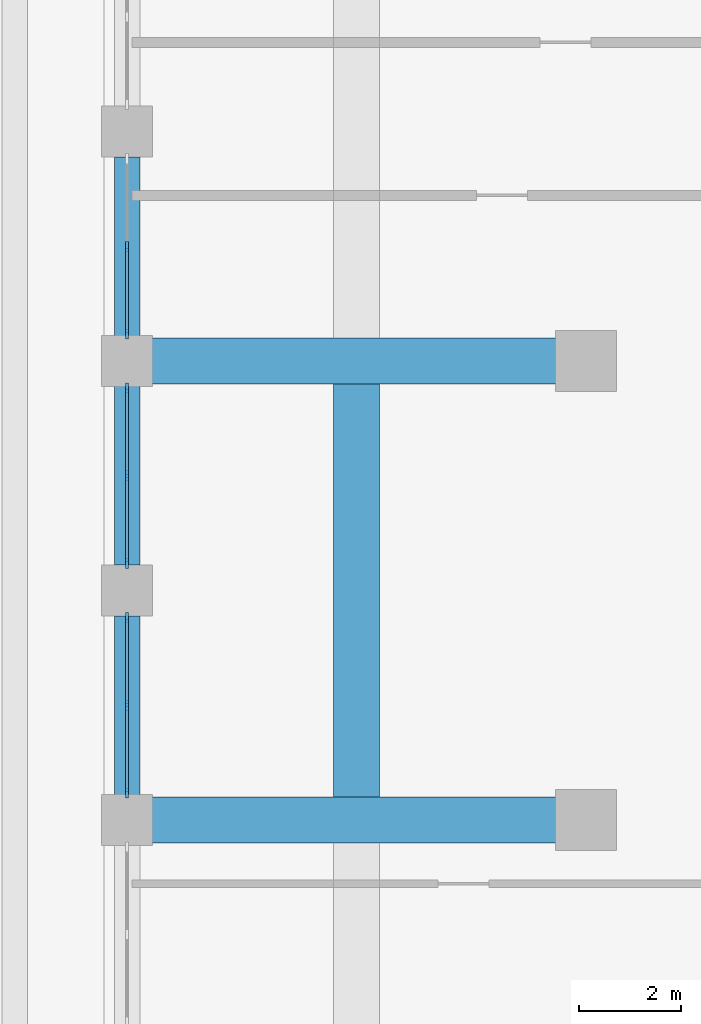
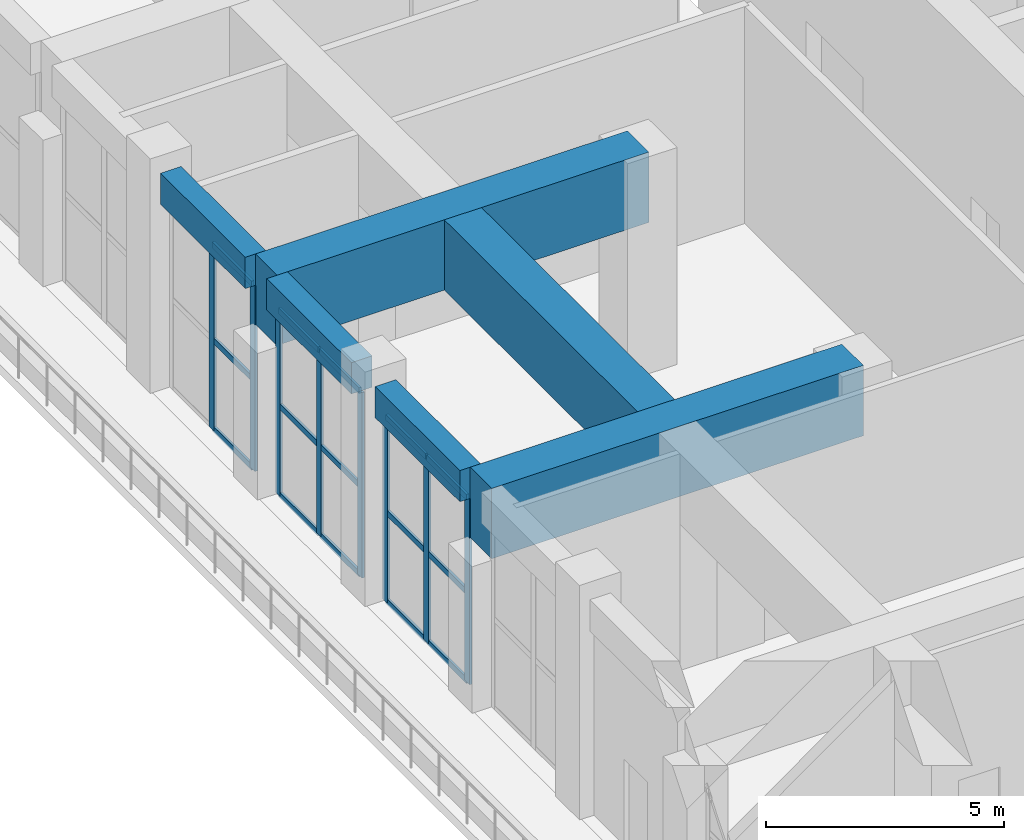
# One storey, part 3 of 25: 23 members, 6 beams, 3 elements without a shape of their own.
"""IFC4 building model written with IfcOpenShell, lengths in metres."""

from ifc_helpers import new_model, si_unit, direction, frame, origin, origin_2d, place, context, subcontext, project, spatial, rectangle, extrude, material, material_profile, profile_set, type_object, element, aggregate, save


model = new_model("IFC4")

# Units and contexts
model_context = context("Model", 3, precision=1e-05, world=origin(), true_north=direction((0.0, 1.0)))
body_context = subcontext(model_context, "Body", "Model", "MODEL_VIEW")
ifc_project = project(units=[si_unit("LENGTHUNIT", "METRE"), si_unit("AREAUNIT", "SQUARE_METRE"), si_unit("VOLUMEUNIT", "CUBIC_METRE"), si_unit("PLANEANGLEUNIT", "RADIAN"), si_unit("MASSUNIT", "GRAM", prefix="KILO")], contexts=[model_context])

# Site, building, storey
site_placement = place(None, origin())
site = spatial("IfcSite", under=ifc_project, at=site_placement, CompositionType="ELEMENT")
building_placement = place(site_placement, origin())
building = spatial("IfcBuilding", under=site, at=building_placement, Name="Corbel Stack Research Tower", CompositionType="ELEMENT")
storey_placement = place(building_placement, frame((0.0, 0.0, 185.5)))
storey = spatial("IfcBuildingStorey", under=building, at=storey_placement, Name="L42", CompositionType="ELEMENT", Elevation=185.5)

# Curtain wall, members
ifc_material_1 = material(Name="Aluminium frame, clear glass", Category="aluminium")
curtain_wall_type = type_object("IfcCurtainWallType", Name="Upper amenity floor curtain wall CW3", PredefinedType="NOTDEFINED", material=ifc_material_1)
curtain_wall_1_placement = place(storey_placement, origin())
curtain_wall_1 = element("IfcCurtainWall", 1, at=curtain_wall_1_placement, inside=storey, type_object=curtain_wall_type, Name="Curtain wall CW3 L42 W05", PredefinedType="NOTDEFINED")
ifc_material_2 = material(Name="Aluminium mullion", Category="aluminium")
ifc_material_profile_1 = material_profile(ifc_material_2, rectangle(XDim=0.06005859375, YDim=0.199951171875, at=origin_2d()), Name="Mullion 60 x 200")
ifc_profile_set_1 = profile_set([ifc_material_profile_1], Name="Aluminium mullion")
member_type_1 = type_object("IfcMemberType", Name="Curtain wall mullion 60 x 200", PredefinedType="MULLION", material=ifc_profile_set_1)
member_1_placement = place(storey_placement, frame((-27.0, 2.25, 0.0), z_axis=(0.0, 0.0, 1.0), x_axis=(1.0, 0.0, 0.0)))
member_1 = element("IfcMember", 2, at=member_1_placement, type_object=member_type_1, Name="CW3 mullion 2", PredefinedType="MULLION", context=body_context, shape_type="SweptSolid", body=[
    extrude(rectangle(XDim=0.06005859375, YDim=0.199951171875, at=origin_2d()), origin(), (0.0, 0.0, 1.0), 4.75),
])
member_2_placement = place(storey_placement, frame((-27.0, 0.530029296875, 0.0), z_axis=(0.0, 0.0, 1.0), x_axis=(1.0, 0.0, 0.0)))
member_2 = element("IfcMember", 3, at=member_2_placement, type_object=member_type_1, Name="CW3 mullion 3", PredefinedType="MULLION", context=body_context, shape_type="SweptSolid", body=[
    extrude(rectangle(XDim=0.06005859375, YDim=0.199951171875, at=origin_2d()), origin(), (0.0, 0.0, 1.0), 4.75),
])

curtain_wall_2_placement = place(storey_placement, origin())
curtain_wall_2 = element("IfcCurtainWall", 4, at=curtain_wall_2_placement, inside=storey, type_object=curtain_wall_type, Name="Curtain wall CW3 L42 W06", PredefinedType="NOTDEFINED")
member_3_placement = place(storey_placement, frame((-27.0, -0.530029296875, 0.0), z_axis=(0.0, 0.0, 1.0), x_axis=(1.0, 0.0, 0.0)))
member_3 = element("IfcMember", 5, at=member_3_placement, type_object=member_type_1, Name="CW3 mullion 1", PredefinedType="MULLION", context=body_context, shape_type="SweptSolid", body=[
    extrude(rectangle(XDim=0.06005859375, YDim=0.199951171875, at=origin_2d()), origin(), (0.0, 0.0, 1.0), 4.75),
])
member_4_placement = place(storey_placement, frame((-27.0, -2.25, 0.0), z_axis=(0.0, 0.0, 1.0), x_axis=(1.0, 0.0, 0.0)))
member_4 = element("IfcMember", 6, at=member_4_placement, type_object=member_type_1, Name="CW3 mullion 2", PredefinedType="MULLION", context=body_context, shape_type="SweptSolid", body=[
    extrude(rectangle(XDim=0.06005859375, YDim=0.199951171875, at=origin_2d()), origin(), (0.0, 0.0, 1.0), 4.75),
])
member_5_placement = place(storey_placement, frame((-27.0, -3.969970703125, 0.0), z_axis=(0.0, 0.0, 1.0), x_axis=(1.0, 0.0, 0.0)))
member_5 = element("IfcMember", 7, at=member_5_placement, type_object=member_type_1, Name="CW3 mullion 3", PredefinedType="MULLION", context=body_context, shape_type="SweptSolid", body=[
    extrude(rectangle(XDim=0.06005859375, YDim=0.199951171875, at=origin_2d()), origin(), (0.0, 0.0, 1.0), 4.75),
])

curtain_wall_3_placement = place(storey_placement, origin())
curtain_wall_3 = element("IfcCurtainWall", 8, at=curtain_wall_3_placement, inside=storey, type_object=curtain_wall_type, Name="Curtain wall CW3 L42 W07", PredefinedType="NOTDEFINED")
member_6_placement = place(storey_placement, frame((-27.0, -5.030029296875, 0.0), z_axis=(0.0, 0.0, 1.0), x_axis=(1.0, 0.0, 0.0)))
member_6 = element("IfcMember", 9, at=member_6_placement, type_object=member_type_1, Name="CW3 mullion 1", PredefinedType="MULLION", context=body_context, shape_type="SweptSolid", body=[
    extrude(rectangle(XDim=0.06005859375, YDim=0.199951171875, at=origin_2d()), origin(), (0.0, 0.0, 1.0), 4.75),
])
member_7_placement = place(storey_placement, frame((-27.0, -6.75, 0.0), z_axis=(0.0, 0.0, 1.0), x_axis=(1.0, 0.0, 0.0)))
member_7 = element("IfcMember", 10, at=member_7_placement, type_object=member_type_1, Name="CW3 mullion 2", PredefinedType="MULLION", context=body_context, shape_type="SweptSolid", body=[
    extrude(rectangle(XDim=0.06005859375, YDim=0.199951171875, at=origin_2d()), origin(), (0.0, 0.0, 1.0), 4.75),
])
member_8_placement = place(storey_placement, frame((-27.0, -8.469970703125, 0.0), z_axis=(0.0, 0.0, 1.0), x_axis=(1.0, 0.0, 0.0)))
member_8 = element("IfcMember", 11, at=member_8_placement, type_object=member_type_1, Name="CW3 mullion 3", PredefinedType="MULLION", context=body_context, shape_type="SweptSolid", body=[
    extrude(rectangle(XDim=0.06005859375, YDim=0.199951171875, at=origin_2d()), origin(), (0.0, 0.0, 1.0), 4.75),
])

# Member
ifc_material_3 = material(Name="Aluminium transom", Category="aluminium")
ifc_material_profile_2 = material_profile(ifc_material_3, rectangle(XDim=0.06005859375, YDim=0.14990234375, at=origin_2d()), Name="Transom 60 x 150")
ifc_profile_set_2 = profile_set([ifc_material_profile_2], Name="Aluminium transom")
member_type_2 = type_object("IfcMemberType", Name="Curtain wall transom 60 x 150", PredefinedType="USERDEFINED", material=ifc_profile_set_2)
member_9_placement = place(storey_placement, frame((-27.0, 2.219970703125, 0.030029296875), z_axis=(0.0, -1.0, 0.0), x_axis=(1.0, 0.0, 0.0)))
member_9 = element("IfcMember", 12, at=member_9_placement, type_object=member_type_2, Name="CW3 transom 2.1", ObjectType="TRANSOM", PredefinedType="USERDEFINED", context=body_context, shape_type="SweptSolid", body=[
    extrude(rectangle(XDim=0.06005859375, YDim=0.14990234375, at=origin_2d()), origin(), (0.0, 0.0, 1.0), 1.659912109375),
])

member_10_placement = place(storey_placement, frame((-27.0, 2.219970703125, 2.300048828125), z_axis=(0.0, -1.0, 0.0), x_axis=(1.0, 0.0, 0.0)))
member_10 = element("IfcMember", 13, at=member_10_placement, type_object=member_type_2, Name="CW3 transom 2.2", ObjectType="TRANSOM", PredefinedType="USERDEFINED", context=body_context, shape_type="SweptSolid", body=[
    extrude(rectangle(XDim=0.06005859375, YDim=0.14990234375, at=origin_2d()), origin(), (0.0, 0.0, 1.0), 1.659912109375),
])

member_11_placement = place(storey_placement, frame((-27.0, 2.219970703125, 4.719970703125), z_axis=(0.0, -1.0, 0.0), x_axis=(1.0, 0.0, 0.0)))
member_11 = element("IfcMember", 14, at=member_11_placement, type_object=member_type_2, Name="CW3 transom 2.3", ObjectType="TRANSOM", PredefinedType="USERDEFINED", context=body_context, shape_type="SweptSolid", body=[
    extrude(rectangle(XDim=0.06005859375, YDim=0.14990234375, at=origin_2d()), origin(), (0.0, 0.0, 1.0), 1.659912109375),
])

aggregate(curtain_wall_1, [member_1, member_2, member_9, member_10, member_11])

member_12_placement = place(storey_placement, frame((-27.0, -0.56005859375, 0.030029296875), z_axis=(0.0, -1.0, 0.0), x_axis=(1.0, 0.0, 0.0)))
member_12 = element("IfcMember", 15, at=member_12_placement, type_object=member_type_2, Name="CW3 transom 1.1", ObjectType="TRANSOM", PredefinedType="USERDEFINED", context=body_context, shape_type="SweptSolid", body=[
    extrude(rectangle(XDim=0.06005859375, YDim=0.14990234375, at=origin_2d()), origin(), (0.0, 0.0, 1.0), 1.659912109375),
])

member_13_placement = place(storey_placement, frame((-27.0, -0.56005859375, 2.300048828125), z_axis=(0.0, -1.0, 0.0), x_axis=(1.0, 0.0, 0.0)))
member_13 = element("IfcMember", 16, at=member_13_placement, type_object=member_type_2, Name="CW3 transom 1.2", ObjectType="TRANSOM", PredefinedType="USERDEFINED", context=body_context, shape_type="SweptSolid", body=[
    extrude(rectangle(XDim=0.06005859375, YDim=0.14990234375, at=origin_2d()), origin(), (0.0, 0.0, 1.0), 1.659912109375),
])

member_14_placement = place(storey_placement, frame((-27.0, -0.56005859375, 4.719970703125), z_axis=(0.0, -1.0, 0.0), x_axis=(1.0, 0.0, 0.0)))
member_14 = element("IfcMember", 17, at=member_14_placement, type_object=member_type_2, Name="CW3 transom 1.3", ObjectType="TRANSOM", PredefinedType="USERDEFINED", context=body_context, shape_type="SweptSolid", body=[
    extrude(rectangle(XDim=0.06005859375, YDim=0.14990234375, at=origin_2d()), origin(), (0.0, 0.0, 1.0), 1.659912109375),
])

member_15_placement = place(storey_placement, frame((-27.0, -2.280029296875, 0.030029296875), z_axis=(0.0, -1.0, 0.0), x_axis=(1.0, 0.0, 0.0)))
member_15 = element("IfcMember", 18, at=member_15_placement, type_object=member_type_2, Name="CW3 transom 2.1", ObjectType="TRANSOM", PredefinedType="USERDEFINED", context=body_context, shape_type="SweptSolid", body=[
    extrude(rectangle(XDim=0.06005859375, YDim=0.14990234375, at=origin_2d()), origin(), (0.0, 0.0, 1.0), 1.659912109375),
])

member_16_placement = place(storey_placement, frame((-27.0, -2.280029296875, 2.300048828125), z_axis=(0.0, -1.0, 0.0), x_axis=(1.0, 0.0, 0.0)))
member_16 = element("IfcMember", 19, at=member_16_placement, type_object=member_type_2, Name="CW3 transom 2.2", ObjectType="TRANSOM", PredefinedType="USERDEFINED", context=body_context, shape_type="SweptSolid", body=[
    extrude(rectangle(XDim=0.06005859375, YDim=0.14990234375, at=origin_2d()), origin(), (0.0, 0.0, 1.0), 1.659912109375),
])

member_17_placement = place(storey_placement, frame((-27.0, -2.280029296875, 4.719970703125), z_axis=(0.0, -1.0, 0.0), x_axis=(1.0, 0.0, 0.0)))
member_17 = element("IfcMember", 20, at=member_17_placement, type_object=member_type_2, Name="CW3 transom 2.3", ObjectType="TRANSOM", PredefinedType="USERDEFINED", context=body_context, shape_type="SweptSolid", body=[
    extrude(rectangle(XDim=0.06005859375, YDim=0.14990234375, at=origin_2d()), origin(), (0.0, 0.0, 1.0), 1.659912109375),
])

aggregate(curtain_wall_2, [member_3, member_4, member_5, member_12, member_13, member_14, member_15, member_16, member_17])

member_18_placement = place(storey_placement, frame((-27.0, -5.06005859375, 0.030029296875), z_axis=(0.0, -1.0, 0.0), x_axis=(1.0, 0.0, 0.0)))
member_18 = element("IfcMember", 21, at=member_18_placement, type_object=member_type_2, Name="CW3 transom 1.1", ObjectType="TRANSOM", PredefinedType="USERDEFINED", context=body_context, shape_type="SweptSolid", body=[
    extrude(rectangle(XDim=0.06005859375, YDim=0.14990234375, at=origin_2d()), origin(), (0.0, 0.0, 1.0), 1.659912109375),
])

member_19_placement = place(storey_placement, frame((-27.0, -5.06005859375, 2.300048828125), z_axis=(0.0, -1.0, 0.0), x_axis=(1.0, 0.0, 0.0)))
member_19 = element("IfcMember", 22, at=member_19_placement, type_object=member_type_2, Name="CW3 transom 1.2", ObjectType="TRANSOM", PredefinedType="USERDEFINED", context=body_context, shape_type="SweptSolid", body=[
    extrude(rectangle(XDim=0.06005859375, YDim=0.14990234375, at=origin_2d()), origin(), (0.0, 0.0, 1.0), 1.659912109375),
])

member_20_placement = place(storey_placement, frame((-27.0, -5.06005859375, 4.719970703125), z_axis=(0.0, -1.0, 0.0), x_axis=(1.0, 0.0, 0.0)))
member_20 = element("IfcMember", 23, at=member_20_placement, type_object=member_type_2, Name="CW3 transom 1.3", ObjectType="TRANSOM", PredefinedType="USERDEFINED", context=body_context, shape_type="SweptSolid", body=[
    extrude(rectangle(XDim=0.06005859375, YDim=0.14990234375, at=origin_2d()), origin(), (0.0, 0.0, 1.0), 1.659912109375),
])

member_21_placement = place(storey_placement, frame((-27.0, -6.780029296875, 0.030029296875), z_axis=(0.0, -1.0, 0.0), x_axis=(1.0, 0.0, 0.0)))
member_21 = element("IfcMember", 24, at=member_21_placement, type_object=member_type_2, Name="CW3 transom 2.1", ObjectType="TRANSOM", PredefinedType="USERDEFINED", context=body_context, shape_type="SweptSolid", body=[
    extrude(rectangle(XDim=0.06005859375, YDim=0.14990234375, at=origin_2d()), origin(), (0.0, 0.0, 1.0), 1.659912109375),
])

member_22_placement = place(storey_placement, frame((-27.0, -6.780029296875, 2.300048828125), z_axis=(0.0, -1.0, 0.0), x_axis=(1.0, 0.0, 0.0)))
member_22 = element("IfcMember", 25, at=member_22_placement, type_object=member_type_2, Name="CW3 transom 2.2", ObjectType="TRANSOM", PredefinedType="USERDEFINED", context=body_context, shape_type="SweptSolid", body=[
    extrude(rectangle(XDim=0.06005859375, YDim=0.14990234375, at=origin_2d()), origin(), (0.0, 0.0, 1.0), 1.659912109375),
])

member_23_placement = place(storey_placement, frame((-27.0, -6.780029296875, 4.719970703125), z_axis=(0.0, -1.0, 0.0), x_axis=(1.0, 0.0, 0.0)))
member_23 = element("IfcMember", 26, at=member_23_placement, type_object=member_type_2, Name="CW3 transom 2.3", ObjectType="TRANSOM", PredefinedType="USERDEFINED", context=body_context, shape_type="SweptSolid", body=[
    extrude(rectangle(XDim=0.06005859375, YDim=0.14990234375, at=origin_2d()), origin(), (0.0, 0.0, 1.0), 1.659912109375),
])

aggregate(curtain_wall_3, [member_6, member_7, member_8, member_18, member_19, member_20, member_21, member_22, member_23])

# Beams
ifc_material_4 = material(Name="Concrete C60/75", Category="concrete")
ifc_material_profile_3 = material_profile(ifc_material_4, rectangle(XDim=0.5, YDim=0.800048828125, at=origin_2d()), Name="RC 500 x 800")
ifc_profile_set_3 = profile_set([ifc_material_profile_3], Name="Concrete C60/75")
beam_type_1 = type_object("IfcBeamType", Name="SB-500-800-450", PredefinedType="SPANDREL", material=ifc_profile_set_3)
for number, where, z_axis, x_axis, name in (
    (27, (-27.0, 4.0, 5.14990234375), (0.0, -1.0, 0.0), (1.0, 0.0, 0.0), "Spandrel beam L42-38"),
    (28, (-27.0, -0.449951171875, 5.14990234375), (0.0, -1.0, 0.0), (1.0, 0.0, 0.0), "Spandrel beam L42-39"),
    (29, (-27.0, -5.0, 5.14990234375), (0.0, -1.0, 0.0), (1.0, 0.0, 0.0), "Spandrel beam L42-40"),
):
    element("IfcBeam", number, at=place(storey_placement, frame(where, z_axis=z_axis, x_axis=x_axis)), inside=storey, type_object=beam_type_1, Name=name, PredefinedType="SPANDREL", context=body_context, shape_type="SweptSolid", body=[
        extrude(rectangle(XDim=0.5, YDim=0.800048828125, at=origin_2d()), origin(), (0.0, 0.0, 1.0), 3.550048828125),
    ])
ifc_material_5 = material(Name="Concrete C60/75", Category="concrete")
ifc_material_profile_4 = material_profile(ifc_material_5, rectangle(XDim=0.89990234375, YDim=1.800048828125, at=origin_2d()), Name="RC 900 x 1800")
ifc_profile_set_4 = profile_set([ifc_material_profile_4], Name="Concrete C60/75")
beam_type_2 = type_object("IfcBeamType", Name="TG-900-1800", PredefinedType="BEAM", material=ifc_profile_set_4)
for number, where, z_axis, x_axis, name in (
    (30, (-27.0, -9.0, 4.64990234375), (1.0, 0.0, 0.0), (0.0, 1.0, 0.0), "Transfer cross girder L42 Wx-9"),
    (31, (-27.0, 0.0, 4.64990234375), (1.0, 0.0, 0.0), (0.0, 1.0, 0.0), "Transfer cross girder L42 Wx0"),
):
    element("IfcBeam", number, at=place(storey_placement, frame(where, z_axis=z_axis, x_axis=x_axis)), inside=storey, type_object=beam_type_2, Name=name, PredefinedType="BEAM", context=body_context, shape_type="SweptSolid", body=[
        extrude(rectangle(XDim=0.89990234375, YDim=1.800048828125, at=origin_2d()), origin(), (0.0, 0.0, 1.0), 9.0),
    ])
beam_placement = place(storey_placement, frame((-22.5, -8.550048828125, 4.64990234375), z_axis=(0.0, 1.0, 0.0), x_axis=(-1.0, 0.0, 0.0)))
element("IfcBeam", 32, at=beam_placement, inside=storey, type_object=beam_type_2, Name="Transfer girder along the step L42 Wl-9", PredefinedType="BEAM", context=body_context, shape_type="SweptSolid", body=[
    extrude(rectangle(XDim=0.89990234375, YDim=1.800048828125, at=origin_2d()), origin(), (0.0, 0.0, 1.0), 8.10009765625),
])

save(model, "model.ifc")
